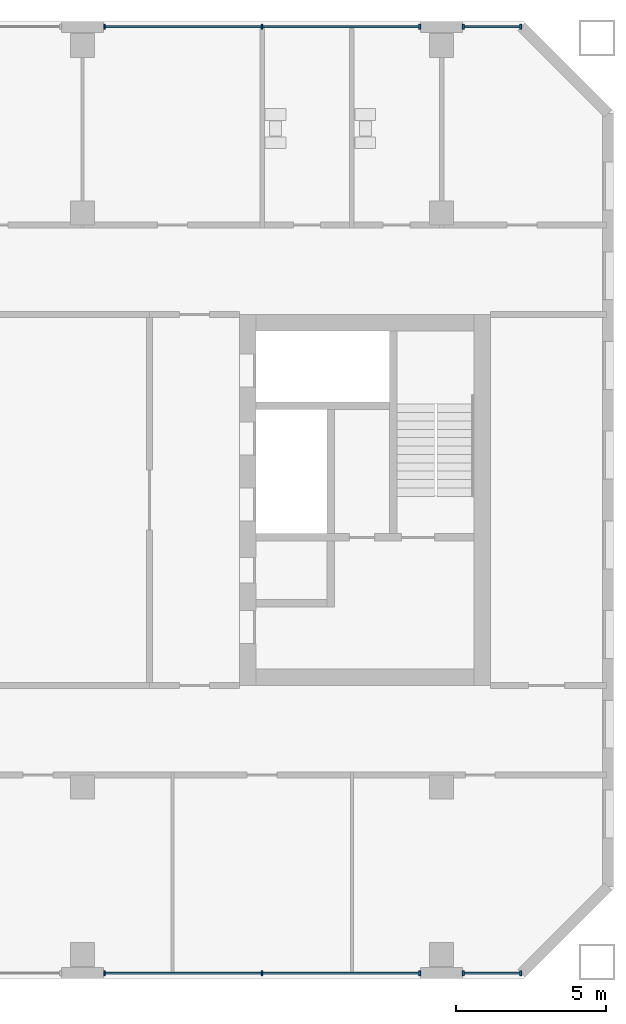
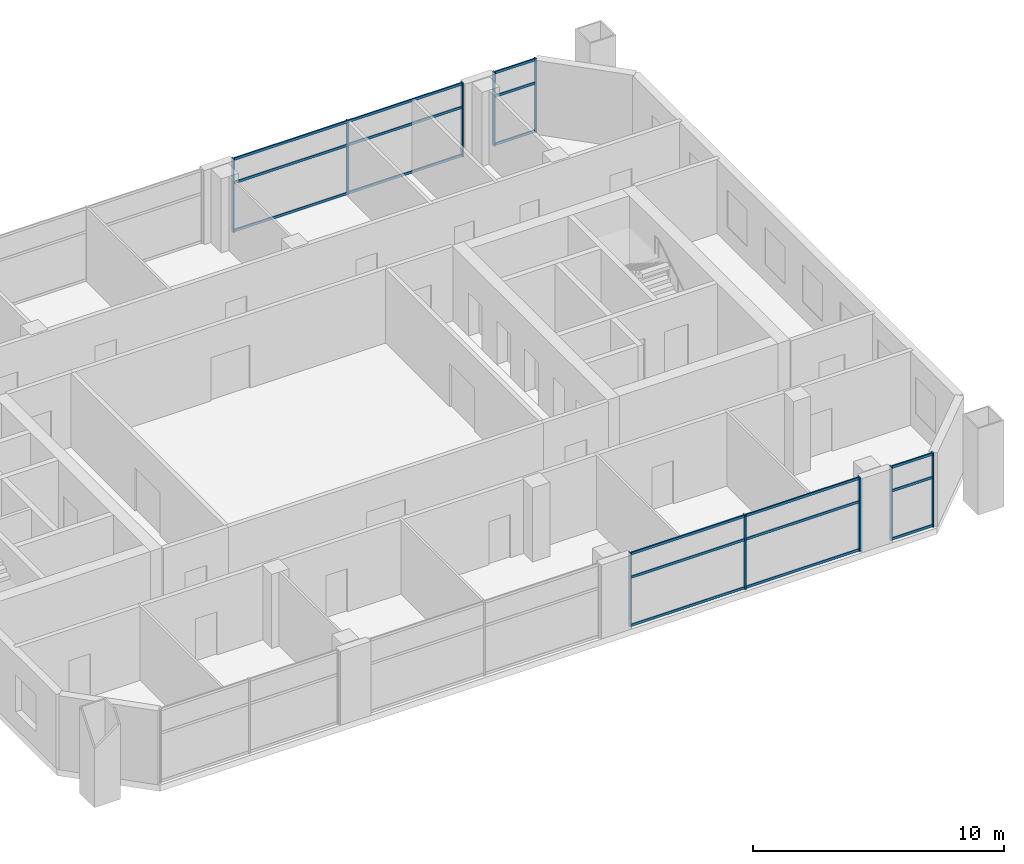
# One storey, part 6 of 17: 28 members, 4 elements without a shape of their own.
"""IFC4 building model written with IfcOpenShell, lengths in metres."""

from ifc_helpers import new_model, si_unit, direction, frame, origin, origin_2d, place, context, subcontext, project, spatial, rectangle, extrude, material, material_profile, profile_set, type_object, element, aggregate, save


model = new_model("IFC4")

# Units and contexts
model_context = context("Model", 3, precision=1e-05, world=origin(), true_north=direction((0.0, 1.0)))
body_context = subcontext(model_context, "Body", "Model", "MODEL_VIEW")
ifc_project = project(units=[si_unit("LENGTHUNIT", "METRE"), si_unit("AREAUNIT", "SQUARE_METRE"), si_unit("VOLUMEUNIT", "CUBIC_METRE"), si_unit("PLANEANGLEUNIT", "RADIAN"), si_unit("MASSUNIT", "GRAM", prefix="KILO")], contexts=[model_context])

# Site, building, storey
site_placement = place(None, origin())
site = spatial("IfcSite", under=ifc_project, at=site_placement, CompositionType="ELEMENT")
building_placement = place(site_placement, origin())
building = spatial("IfcBuilding", under=site, at=building_placement, Name="Tuart Gate Housing", CompositionType="ELEMENT")
storey_placement = place(building_placement, frame((0.0, 0.0, 119.5)))
storey = spatial("IfcBuildingStorey", under=building, at=storey_placement, Name="L33", CompositionType="ELEMENT", Elevation=119.5)

# Curtain wall, members
ifc_material_1 = material(Name="Aluminium and clear glass", Category="aluminium")
curtain_wall_type = type_object("IfcCurtainWallType", Name="Community floor glazing", PredefinedType="USERDEFINED", material=ifc_material_1)
curtain_wall_1_placement = place(storey_placement, origin())
curtain_wall_1 = element("IfcCurtainWall", 1, at=curtain_wall_1_placement, inside=storey, type_object=curtain_wall_type, Name="Community floor glazing B-S L33", ObjectType="COMMUNITY FLOOR GLAZING", PredefinedType="USERDEFINED")
ifc_material_2 = material(Name="Anodised aluminium", Category="aluminium")
ifc_material_profile_1 = material_profile(ifc_material_2, rectangle(XDim=0.06005859375, YDim=0.159912109375, at=origin_2d()), Name="60x160")
ifc_profile_set_1 = profile_set([ifc_material_profile_1], Name="Anodised aluminium")
member_type_1 = type_object("IfcMemberType", Name="Mullion 60 x 160", PredefinedType="MULLION", material=ifc_profile_set_1)
member_1_placement = place(storey_placement, frame((155.72998046875, 54.179931640625, 0.0), z_axis=(0.0, 0.0, 1.0), x_axis=(1.0, 0.0, 0.0)))
member_1 = element("IfcMember", 2, at=member_1_placement, type_object=member_type_1, Name="CW3 mullion 1", PredefinedType="MULLION", context=body_context, shape_type="SweptSolid", body=[
    extrude(rectangle(XDim=0.06005859375, YDim=0.159912109375, at=origin_2d()), origin(), (0.0, 0.0, 1.0), 3.60009765625),
])
member_2_placement = place(storey_placement, frame((161.0, 54.179931640625, 0.0), z_axis=(0.0, 0.0, 1.0), x_axis=(1.0, 0.0, 0.0)))
member_2 = element("IfcMember", 3, at=member_2_placement, type_object=member_type_1, Name="CW3 mullion 2", PredefinedType="MULLION", context=body_context, shape_type="SweptSolid", body=[
    extrude(rectangle(XDim=0.06005859375, YDim=0.159912109375, at=origin_2d()), origin(), (0.0, 0.0, 1.0), 3.60009765625),
])
member_3_placement = place(storey_placement, frame((166.27001953125, 54.179931640625, 0.0), z_axis=(0.0, 0.0, 1.0), x_axis=(1.0, 0.0, 0.0)))
member_3 = element("IfcMember", 4, at=member_3_placement, type_object=member_type_1, Name="CW3 mullion 3", PredefinedType="MULLION", context=body_context, shape_type="SweptSolid", body=[
    extrude(rectangle(XDim=0.06005859375, YDim=0.159912109375, at=origin_2d()), origin(), (0.0, 0.0, 1.0), 3.60009765625),
])

curtain_wall_2_placement = place(storey_placement, origin())
curtain_wall_2 = element("IfcCurtainWall", 5, at=curtain_wall_2_placement, inside=storey, type_object=curtain_wall_type, Name="Community floor glazing B-S L33", ObjectType="COMMUNITY FLOOR GLAZING", PredefinedType="USERDEFINED")
member_4_placement = place(storey_placement, frame((167.72998046875, 54.179931640625, 0.0), z_axis=(0.0, 0.0, 1.0), x_axis=(1.0, 0.0, 0.0)))
member_4 = element("IfcMember", 6, at=member_4_placement, type_object=member_type_1, Name="CW3 mullion 1", PredefinedType="MULLION", context=body_context, shape_type="SweptSolid", body=[
    extrude(rectangle(XDim=0.06005859375, YDim=0.159912109375, at=origin_2d()), origin(), (0.0, 0.0, 1.0), 3.60009765625),
])
member_5_placement = place(storey_placement, frame((169.6455078125, 54.179931640625, 0.0), z_axis=(0.0, 0.0, 1.0), x_axis=(1.0, 0.0, 0.0)))
member_5 = element("IfcMember", 7, at=member_5_placement, type_object=member_type_1, Name="CW3 mullion 2", PredefinedType="MULLION", context=body_context, shape_type="SweptSolid", body=[
    extrude(rectangle(XDim=0.06005859375, YDim=0.159912109375, at=origin_2d()), origin(), (0.0, 0.0, 1.0), 3.60009765625),
])

curtain_wall_3_placement = place(storey_placement, origin())
curtain_wall_3 = element("IfcCurtainWall", 8, at=curtain_wall_3_placement, inside=storey, type_object=curtain_wall_type, Name="Community floor glazing B-N L33", ObjectType="COMMUNITY FLOOR GLAZING", PredefinedType="USERDEFINED")
member_6_placement = place(storey_placement, frame((169.6455078125, 85.820068359375, 0.0), z_axis=(0.0, 0.0, 1.0), x_axis=(-1.0, 0.0, 0.0)))
member_6 = element("IfcMember", 9, at=member_6_placement, type_object=member_type_1, Name="CW3 mullion 1", PredefinedType="MULLION", context=body_context, shape_type="SweptSolid", body=[
    extrude(rectangle(XDim=0.06005859375, YDim=0.159912109375, at=origin_2d()), origin(), (0.0, 0.0, 1.0), 3.60009765625),
])
member_7_placement = place(storey_placement, frame((167.72998046875, 85.820068359375, 0.0), z_axis=(0.0, 0.0, 1.0), x_axis=(-1.0, 0.0, 0.0)))
member_7 = element("IfcMember", 10, at=member_7_placement, type_object=member_type_1, Name="CW3 mullion 2", PredefinedType="MULLION", context=body_context, shape_type="SweptSolid", body=[
    extrude(rectangle(XDim=0.06005859375, YDim=0.159912109375, at=origin_2d()), origin(), (0.0, 0.0, 1.0), 3.60009765625),
])

curtain_wall_4_placement = place(storey_placement, origin())
curtain_wall_4 = element("IfcCurtainWall", 11, at=curtain_wall_4_placement, inside=storey, type_object=curtain_wall_type, Name="Community floor glazing B-N L33", ObjectType="COMMUNITY FLOOR GLAZING", PredefinedType="USERDEFINED")
member_8_placement = place(storey_placement, frame((166.27001953125, 85.820068359375, 0.0), z_axis=(0.0, 0.0, 1.0), x_axis=(-1.0, 0.0, 0.0)))
member_8 = element("IfcMember", 12, at=member_8_placement, type_object=member_type_1, Name="CW3 mullion 1", PredefinedType="MULLION", context=body_context, shape_type="SweptSolid", body=[
    extrude(rectangle(XDim=0.06005859375, YDim=0.159912109375, at=origin_2d()), origin(), (0.0, 0.0, 1.0), 3.60009765625),
])
member_9_placement = place(storey_placement, frame((161.0, 85.820068359375, 0.0), z_axis=(0.0, 0.0, 1.0), x_axis=(-1.0, 0.0, 0.0)))
member_9 = element("IfcMember", 13, at=member_9_placement, type_object=member_type_1, Name="CW3 mullion 2", PredefinedType="MULLION", context=body_context, shape_type="SweptSolid", body=[
    extrude(rectangle(XDim=0.06005859375, YDim=0.159912109375, at=origin_2d()), origin(), (0.0, 0.0, 1.0), 3.60009765625),
])
member_10_placement = place(storey_placement, frame((155.72998046875, 85.820068359375, 0.0), z_axis=(0.0, 0.0, 1.0), x_axis=(-1.0, 0.0, 0.0)))
member_10 = element("IfcMember", 14, at=member_10_placement, type_object=member_type_1, Name="CW3 mullion 3", PredefinedType="MULLION", context=body_context, shape_type="SweptSolid", body=[
    extrude(rectangle(XDim=0.06005859375, YDim=0.159912109375, at=origin_2d()), origin(), (0.0, 0.0, 1.0), 3.60009765625),
])

# Member
ifc_material_3 = material(Name="Anodised aluminium", Category="aluminium")
ifc_material_profile_2 = material_profile(ifc_material_3, rectangle(XDim=0.06005859375, YDim=0.1201171875, at=origin_2d()), Name="60x120")
ifc_profile_set_2 = profile_set([ifc_material_profile_2], Name="Anodised aluminium")
member_type_2 = type_object("IfcMemberType", Name="Transom 60 x 120", PredefinedType="USERDEFINED", material=ifc_profile_set_2)
member_11_placement = place(storey_placement, frame((155.760009765625, 54.179931640625, 0.06005859375), z_axis=(1.0, 0.0, 0.0), x_axis=(0.0, 1.0, 0.0)))
member_11 = element("IfcMember", 15, at=member_11_placement, type_object=member_type_2, Name="CW3 transom 1.1", ObjectType="TRANSOM", PredefinedType="USERDEFINED", context=body_context, shape_type="SweptSolid", body=[
    extrude(rectangle(XDim=0.06005859375, YDim=0.1201171875, at=origin_2d()), origin(), (0.0, 0.0, 1.0), 5.2099609375),
])

member_12_placement = place(storey_placement, frame((155.760009765625, 54.179931640625, 2.39990234375), z_axis=(1.0, 0.0, 0.0), x_axis=(0.0, 1.0, 0.0)))
member_12 = element("IfcMember", 16, at=member_12_placement, type_object=member_type_2, Name="CW3 transom 1.2", ObjectType="TRANSOM", PredefinedType="USERDEFINED", context=body_context, shape_type="SweptSolid", body=[
    extrude(rectangle(XDim=0.06005859375, YDim=0.1201171875, at=origin_2d()), origin(), (0.0, 0.0, 1.0), 5.2099609375),
])

member_13_placement = place(storey_placement, frame((155.760009765625, 54.179931640625, 3.5400390625), z_axis=(1.0, 0.0, 0.0), x_axis=(0.0, 1.0, 0.0)))
member_13 = element("IfcMember", 17, at=member_13_placement, type_object=member_type_2, Name="CW3 transom 1.3", ObjectType="TRANSOM", PredefinedType="USERDEFINED", context=body_context, shape_type="SweptSolid", body=[
    extrude(rectangle(XDim=0.06005859375, YDim=0.1201171875, at=origin_2d()), origin(), (0.0, 0.0, 1.0), 5.2099609375),
])

member_14_placement = place(storey_placement, frame((161.030029296875, 54.179931640625, 0.06005859375), z_axis=(1.0, 0.0, 0.0), x_axis=(0.0, 1.0, 0.0)))
member_14 = element("IfcMember", 18, at=member_14_placement, type_object=member_type_2, Name="CW3 transom 2.1", ObjectType="TRANSOM", PredefinedType="USERDEFINED", context=body_context, shape_type="SweptSolid", body=[
    extrude(rectangle(XDim=0.06005859375, YDim=0.1201171875, at=origin_2d()), origin(), (0.0, 0.0, 1.0), 5.2099609375),
])

member_15_placement = place(storey_placement, frame((161.030029296875, 54.179931640625, 2.39990234375), z_axis=(1.0, 0.0, 0.0), x_axis=(0.0, 1.0, 0.0)))
member_15 = element("IfcMember", 19, at=member_15_placement, type_object=member_type_2, Name="CW3 transom 2.2", ObjectType="TRANSOM", PredefinedType="USERDEFINED", context=body_context, shape_type="SweptSolid", body=[
    extrude(rectangle(XDim=0.06005859375, YDim=0.1201171875, at=origin_2d()), origin(), (0.0, 0.0, 1.0), 5.2099609375),
])

member_16_placement = place(storey_placement, frame((161.030029296875, 54.179931640625, 3.5400390625), z_axis=(1.0, 0.0, 0.0), x_axis=(0.0, 1.0, 0.0)))
member_16 = element("IfcMember", 20, at=member_16_placement, type_object=member_type_2, Name="CW3 transom 2.3", ObjectType="TRANSOM", PredefinedType="USERDEFINED", context=body_context, shape_type="SweptSolid", body=[
    extrude(rectangle(XDim=0.06005859375, YDim=0.1201171875, at=origin_2d()), origin(), (0.0, 0.0, 1.0), 5.2099609375),
])

aggregate(curtain_wall_1, [member_1, member_2, member_3, member_11, member_12, member_13, member_14, member_15, member_16])

member_17_placement = place(storey_placement, frame((167.760009765625, 54.179931640625, 0.06005859375), z_axis=(1.0, 0.0, 0.0), x_axis=(0.0, 1.0, 0.0)))
member_17 = element("IfcMember", 21, at=member_17_placement, type_object=member_type_2, Name="CW3 transom 1.1", ObjectType="TRANSOM", PredefinedType="USERDEFINED", context=body_context, shape_type="SweptSolid", body=[
    extrude(rectangle(XDim=0.06005859375, YDim=0.1201171875, at=origin_2d()), origin(), (0.0, 0.0, 1.0), 1.85546875),
])

member_18_placement = place(storey_placement, frame((167.760009765625, 54.179931640625, 2.39990234375), z_axis=(1.0, 0.0, 0.0), x_axis=(0.0, 1.0, 0.0)))
member_18 = element("IfcMember", 22, at=member_18_placement, type_object=member_type_2, Name="CW3 transom 1.2", ObjectType="TRANSOM", PredefinedType="USERDEFINED", context=body_context, shape_type="SweptSolid", body=[
    extrude(rectangle(XDim=0.06005859375, YDim=0.1201171875, at=origin_2d()), origin(), (0.0, 0.0, 1.0), 1.85546875),
])

member_19_placement = place(storey_placement, frame((167.760009765625, 54.179931640625, 3.5400390625), z_axis=(1.0, 0.0, 0.0), x_axis=(0.0, 1.0, 0.0)))
member_19 = element("IfcMember", 23, at=member_19_placement, type_object=member_type_2, Name="CW3 transom 1.3", ObjectType="TRANSOM", PredefinedType="USERDEFINED", context=body_context, shape_type="SweptSolid", body=[
    extrude(rectangle(XDim=0.06005859375, YDim=0.1201171875, at=origin_2d()), origin(), (0.0, 0.0, 1.0), 1.85546875),
])

aggregate(curtain_wall_2, [member_4, member_5, member_17, member_18, member_19])

member_20_placement = place(storey_placement, frame((169.615478515625, 85.820068359375, 0.06005859375), z_axis=(-1.0, 0.0, 0.0), x_axis=(0.0, -1.0, 0.0)))
member_20 = element("IfcMember", 24, at=member_20_placement, type_object=member_type_2, Name="CW3 transom 1.1", ObjectType="TRANSOM", PredefinedType="USERDEFINED", context=body_context, shape_type="SweptSolid", body=[
    extrude(rectangle(XDim=0.06005859375, YDim=0.1201171875, at=origin_2d()), origin(), (0.0, 0.0, 1.0), 1.85546875),
])

member_21_placement = place(storey_placement, frame((169.615478515625, 85.820068359375, 2.39990234375), z_axis=(-1.0, 0.0, 0.0), x_axis=(0.0, -1.0, 0.0)))
member_21 = element("IfcMember", 25, at=member_21_placement, type_object=member_type_2, Name="CW3 transom 1.2", ObjectType="TRANSOM", PredefinedType="USERDEFINED", context=body_context, shape_type="SweptSolid", body=[
    extrude(rectangle(XDim=0.06005859375, YDim=0.1201171875, at=origin_2d()), origin(), (0.0, 0.0, 1.0), 1.85546875),
])

member_22_placement = place(storey_placement, frame((169.615478515625, 85.820068359375, 3.5400390625), z_axis=(-1.0, 0.0, 0.0), x_axis=(0.0, -1.0, 0.0)))
member_22 = element("IfcMember", 26, at=member_22_placement, type_object=member_type_2, Name="CW3 transom 1.3", ObjectType="TRANSOM", PredefinedType="USERDEFINED", context=body_context, shape_type="SweptSolid", body=[
    extrude(rectangle(XDim=0.06005859375, YDim=0.1201171875, at=origin_2d()), origin(), (0.0, 0.0, 1.0), 1.85546875),
])

aggregate(curtain_wall_3, [member_6, member_7, member_20, member_21, member_22])

member_23_placement = place(storey_placement, frame((166.239990234375, 85.820068359375, 0.06005859375), z_axis=(-1.0, 0.0, 0.0), x_axis=(0.0, -1.0, 0.0)))
member_23 = element("IfcMember", 27, at=member_23_placement, type_object=member_type_2, Name="CW3 transom 1.1", ObjectType="TRANSOM", PredefinedType="USERDEFINED", context=body_context, shape_type="SweptSolid", body=[
    extrude(rectangle(XDim=0.06005859375, YDim=0.1201171875, at=origin_2d()), origin(), (0.0, 0.0, 1.0), 5.2099609375),
])

member_24_placement = place(storey_placement, frame((166.239990234375, 85.820068359375, 2.39990234375), z_axis=(-1.0, 0.0, 0.0), x_axis=(0.0, -1.0, 0.0)))
member_24 = element("IfcMember", 28, at=member_24_placement, type_object=member_type_2, Name="CW3 transom 1.2", ObjectType="TRANSOM", PredefinedType="USERDEFINED", context=body_context, shape_type="SweptSolid", body=[
    extrude(rectangle(XDim=0.06005859375, YDim=0.1201171875, at=origin_2d()), origin(), (0.0, 0.0, 1.0), 5.2099609375),
])

member_25_placement = place(storey_placement, frame((166.239990234375, 85.820068359375, 3.5400390625), z_axis=(-1.0, 0.0, 0.0), x_axis=(0.0, -1.0, 0.0)))
member_25 = element("IfcMember", 29, at=member_25_placement, type_object=member_type_2, Name="CW3 transom 1.3", ObjectType="TRANSOM", PredefinedType="USERDEFINED", context=body_context, shape_type="SweptSolid", body=[
    extrude(rectangle(XDim=0.06005859375, YDim=0.1201171875, at=origin_2d()), origin(), (0.0, 0.0, 1.0), 5.2099609375),
])

member_26_placement = place(storey_placement, frame((160.969970703125, 85.820068359375, 0.06005859375), z_axis=(-1.0, 0.0, 0.0), x_axis=(0.0, -1.0, 0.0)))
member_26 = element("IfcMember", 30, at=member_26_placement, type_object=member_type_2, Name="CW3 transom 2.1", ObjectType="TRANSOM", PredefinedType="USERDEFINED", context=body_context, shape_type="SweptSolid", body=[
    extrude(rectangle(XDim=0.06005859375, YDim=0.1201171875, at=origin_2d()), origin(), (0.0, 0.0, 1.0), 5.2099609375),
])

member_27_placement = place(storey_placement, frame((160.969970703125, 85.820068359375, 2.39990234375), z_axis=(-1.0, 0.0, 0.0), x_axis=(0.0, -1.0, 0.0)))
member_27 = element("IfcMember", 31, at=member_27_placement, type_object=member_type_2, Name="CW3 transom 2.2", ObjectType="TRANSOM", PredefinedType="USERDEFINED", context=body_context, shape_type="SweptSolid", body=[
    extrude(rectangle(XDim=0.06005859375, YDim=0.1201171875, at=origin_2d()), origin(), (0.0, 0.0, 1.0), 5.2099609375),
])

member_28_placement = place(storey_placement, frame((160.969970703125, 85.820068359375, 3.5400390625), z_axis=(-1.0, 0.0, 0.0), x_axis=(0.0, -1.0, 0.0)))
member_28 = element("IfcMember", 32, at=member_28_placement, type_object=member_type_2, Name="CW3 transom 2.3", ObjectType="TRANSOM", PredefinedType="USERDEFINED", context=body_context, shape_type="SweptSolid", body=[
    extrude(rectangle(XDim=0.06005859375, YDim=0.1201171875, at=origin_2d()), origin(), (0.0, 0.0, 1.0), 5.2099609375),
])

aggregate(curtain_wall_4, [member_8, member_9, member_10, member_23, member_24, member_25, member_26, member_27, member_28])

save(model, "model.ifc")
